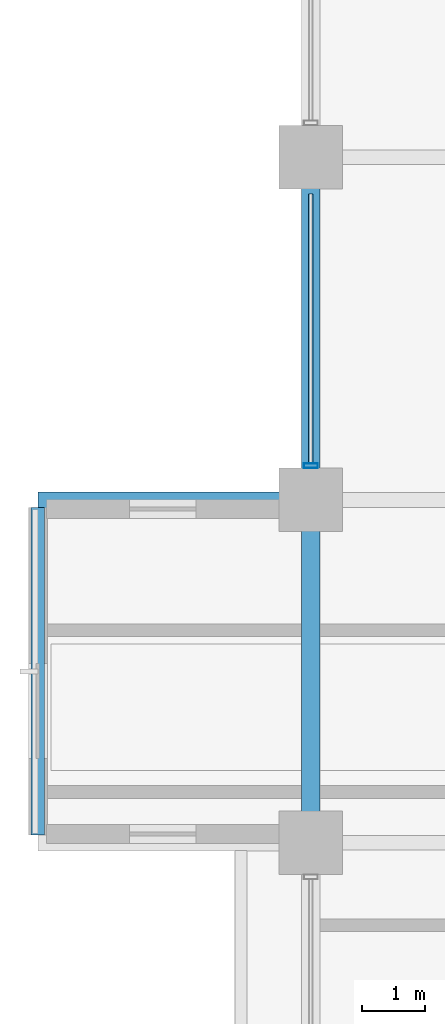
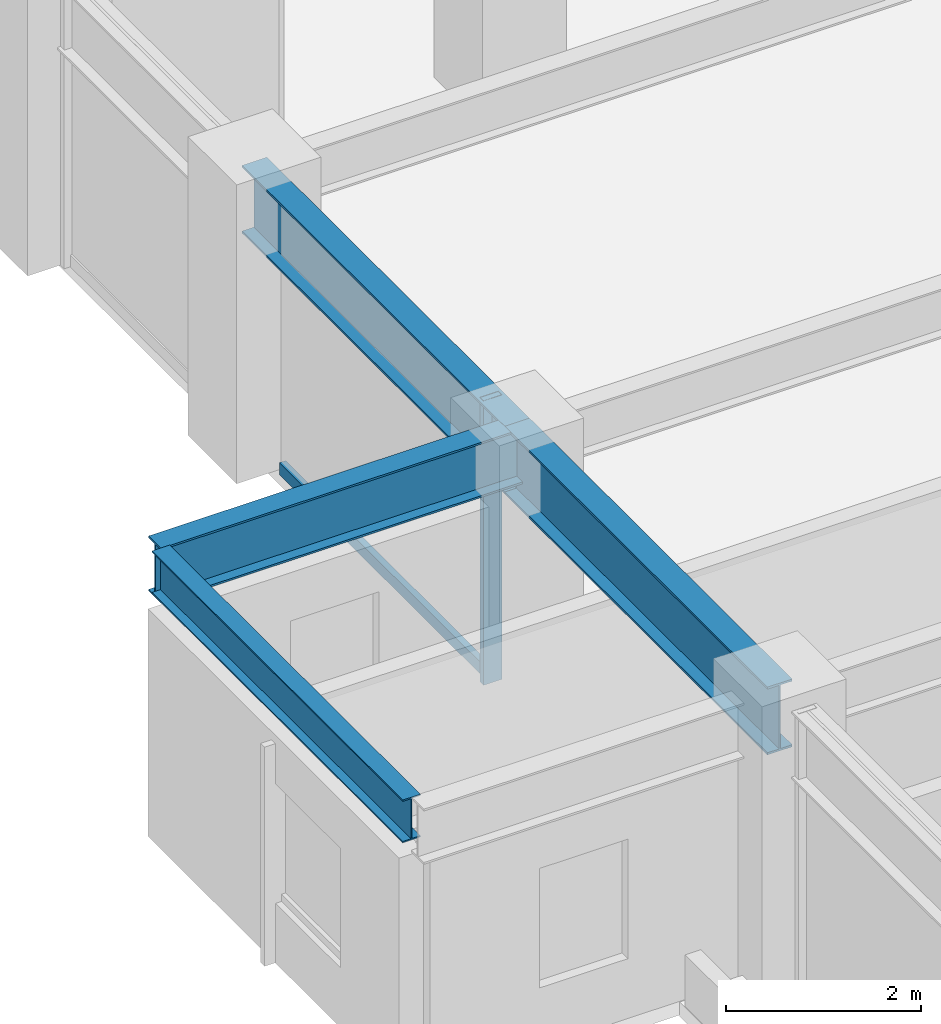
# One storey, part 10 of 29: 4 beams, 2 members, 1 element without a shape of its own.
"""IFC4 building model written with IfcOpenShell, lengths in metres."""

from ifc_helpers import new_model, si_unit, direction, frame, origin, origin_2d, place, context, subcontext, project, spatial, hollow_rectangle, i_section, extrude, material, layer, layer_set, material_profile, profile_set, type_object, element, aggregate, save


model = new_model("IFC4")

# Units and contexts
model_context = context("Model", 3, precision=1e-05, world=origin(), true_north=direction((0.0, 1.0)))
body_context = subcontext(model_context, "Body", "Model", "MODEL_VIEW")
ifc_project = project(units=[si_unit("LENGTHUNIT", "METRE"), si_unit("AREAUNIT", "SQUARE_METRE"), si_unit("VOLUMEUNIT", "CUBIC_METRE"), si_unit("PLANEANGLEUNIT", "RADIAN"), si_unit("MASSUNIT", "GRAM", prefix="KILO")], contexts=[model_context])

# Site, building, storey
site_placement = place(None, origin())
site = spatial("IfcSite", under=ifc_project, at=site_placement, CompositionType="ELEMENT")
building_placement = place(site_placement, origin())
building = spatial("IfcBuilding", under=site, at=building_placement, Name="Surkhivell Harbour Commons", CompositionType="ELEMENT")
storey_placement = place(building_placement, frame((0.0, 0.0, 150.75)))
storey = spatial("IfcBuildingStorey", under=building, at=storey_placement, Name="L39", CompositionType="ELEMENT", Elevation=150.75)

# Beams
ifc_material_1 = material(Name="Steel S460", Category="steel")
ifc_material_profile_1 = material_profile(ifc_material_1, i_section(OverallWidth=0.256103515625, OverallDepth=0.693115234375, WebThickness=0.014404296875, FlangeThickness=0.023681640625, at=origin_2d()), Name="UB686x254x170")
ifc_profile_set_1 = profile_set([ifc_material_profile_1], Name="Steel S460")
beam_type_1 = type_object("IfcBeamType", Name="BM-CNT-686", PredefinedType="BEAM", material=ifc_profile_set_1)
beam_1_placement = place(storey_placement, frame((-32.39990234375, 10.800048828125, 3.223388671875), z_axis=(-1.0, 0.0, 0.0), x_axis=(0.0, -1.0, 0.0)))
element("IfcBeam", 1, at=beam_1_placement, inside=storey, type_object=beam_type_1, Name="L39 Box Cantilever Outrigger (-32.4,10.8)", PredefinedType="BEAM", context=body_context, shape_type="SweptSolid", body=[
    extrude(i_section(OverallWidth=0.256103515625, OverallDepth=0.693115234375, WebThickness=0.014404296875, FlangeThickness=0.023681640625, at=origin_2d()), origin(), (0.0, 0.0, 1.0), 4.300048828125),
])
ifc_material_2 = material(Name="Steel S355", Category="steel")
ifc_material_profile_2 = material_profile(ifc_material_2, i_section(OverallWidth=0.2099609375, OverallDepth=0.537109375, WebThickness=0.0107421875, FlangeThickness=0.017333984375, at=origin_2d()), Name="UB533x210x101")
ifc_profile_set_2 = profile_set([ifc_material_profile_2], Name="Steel S355")
beam_type_2 = type_object("IfcBeamType", Name="BM-GRD-533B", PredefinedType="BEAM", material=ifc_profile_set_2)
beam_2_placement = place(storey_placement, frame((-36.699951171875, 5.52197265625, 3.301513671875), z_axis=(0.0, 1.0, 0.0), x_axis=(-1.0, 0.0, 0.0)))
element("IfcBeam", 2, at=beam_2_placement, inside=storey, type_object=beam_type_2, Name="L39 Box Rim Spandrel (-36.7,5.4)", PredefinedType="BEAM", context=body_context, shape_type="SweptSolid", body=[
    extrude(i_section(OverallWidth=0.2099609375, OverallDepth=0.537109375, WebThickness=0.0107421875, FlangeThickness=0.017333984375, at=origin_2d()), origin(), (0.0, 0.0, 1.0), 5.156005859375),
])
ifc_material_profile_3 = material_profile(ifc_material_1, i_section(OverallWidth=0.2939453125, OverallDepth=0.85107421875, WebThickness=0.01611328125, FlangeThickness=0.02685546875, at=origin_2d()), Name="UB838x292x226")
ifc_profile_set_3 = profile_set([ifc_material_profile_3], Name="Steel S460")
beam_type_3 = type_object("IfcBeamType", Name="BM-SPN-838", PredefinedType="SPANDREL", material=ifc_profile_set_3)
beam_3_placement = place(storey_placement, frame((-32.39990234375, 5.39990234375, 3.14453125), z_axis=(0.0, 1.0, 0.0), x_axis=(-1.0, 0.0, 0.0)))
element("IfcBeam", 3, at=beam_3_placement, inside=storey, type_object=beam_type_3, Name="L39 Tube Spandrel (-32.4,5.4)", PredefinedType="SPANDREL", context=body_context, shape_type="SweptSolid", body=[
    extrude(i_section(OverallWidth=0.2939453125, OverallDepth=0.85107421875, WebThickness=0.01611328125, FlangeThickness=0.02685546875, at=origin_2d()), origin(), (0.0, 0.0, 1.0), 5.400146484375),
])
beam_4_placement = place(storey_placement, frame((-32.39990234375, 10.800048828125, 3.14453125), z_axis=(0.0, 1.0, 0.0), x_axis=(-1.0, 0.0, 0.0)))
element("IfcBeam", 4, at=beam_4_placement, inside=storey, type_object=beam_type_3, Name="L39 Tube Spandrel (-32.4,10.8)", PredefinedType="SPANDREL", context=body_context, shape_type="SweptSolid", body=[
    extrude(i_section(OverallWidth=0.2939453125, OverallDepth=0.85107421875, WebThickness=0.01611328125, FlangeThickness=0.02685546875, at=origin_2d()), origin(), (0.0, 0.0, 1.0), 5.39990234375),
])

# Curtain wall, members
ifc_material_3 = material(Name="Anodised pale-metal aluminium and insulated glazing", Category="aluminium")
ifc_layer = layer(ifc_material_3, 0.205078125)
ifc_layer_set = layer_set([ifc_layer], Name="Anodised pale-metal aluminium and insulated glazing")
curtain_wall_type = type_object("IfcCurtainWallType", Name="CW-SYS-Z2", PredefinedType="NOTDEFINED", material=ifc_layer_set)
curtain_wall_placement = place(storey_placement, origin())
curtain_wall = element("IfcCurtainWall", 5, at=curtain_wall_placement, inside=storey, type_object=curtain_wall_type, Name="L39 Curtain Wall CW-L39-E12R2", PredefinedType="NOTDEFINED")
ifc_material_4 = material(Name="Anodised pale-metal aluminium alloy 6063-T6", Category="aluminium")
ifc_material_profile_4 = material_profile(ifc_material_4, hollow_rectangle(XDim=0.074951171875, YDim=0.219970703125, WallThickness=0.00390625, at=origin_2d()), Name="ALU-MULL-75x220")
ifc_profile_set_4 = profile_set([ifc_material_profile_4], Name="Anodised pale-metal aluminium alloy 6063-T6")
member_type_1 = type_object("IfcMemberType", Name="CWM-220", PredefinedType="MULLION", material=ifc_profile_set_4)
member_1_placement = place(storey_placement, frame((-32.39990234375, 11.339599609375, 0.0), z_axis=(0.0, 0.0, 1.0), x_axis=(0.0, 1.0, 0.0)))
member_1 = element("IfcMember", 6, at=member_1_placement, type_object=member_type_1, Name="CW-Z2 mullion 1", PredefinedType="MULLION", context=body_context, shape_type="SweptSolid", body=[
    extrude(hollow_rectangle(XDim=0.074951171875, YDim=0.219970703125, WallThickness=0.00390625, at=origin_2d()), origin(), (0.0, 0.0, 1.0), 3.570068359375),
])
ifc_material_profile_5 = material_profile(ifc_material_4, hollow_rectangle(XDim=0.074951171875, YDim=0.14990234375, WallThickness=0.00341796875, at=origin_2d()), Name="ALU-TRAN-75x150")
ifc_profile_set_5 = profile_set([ifc_material_profile_5], Name="Anodised pale-metal aluminium alloy 6063-T6")
member_type_2 = type_object("IfcMemberType", Name="CWT-150", PredefinedType="USERDEFINED", material=ifc_profile_set_5)
member_2_placement = place(storey_placement, frame((-32.39990234375, 11.376953125, 0.074951171875), z_axis=(0.0, 1.0, 0.0), x_axis=(-1.0, 0.0, 0.0)))
member_2 = element("IfcMember", 7, at=member_2_placement, type_object=member_type_2, Name="CW-Z2 transom 1.1", ObjectType="TRANSOM", PredefinedType="USERDEFINED", context=body_context, shape_type="SweptSolid", body=[
    extrude(hollow_rectangle(XDim=0.074951171875, YDim=0.14990234375, WallThickness=0.00341796875, at=origin_2d()), origin(), (0.0, 0.0, 1.0), 4.24609375),
])
aggregate(curtain_wall, [member_1, member_2])

save(model, "model.ifc")
